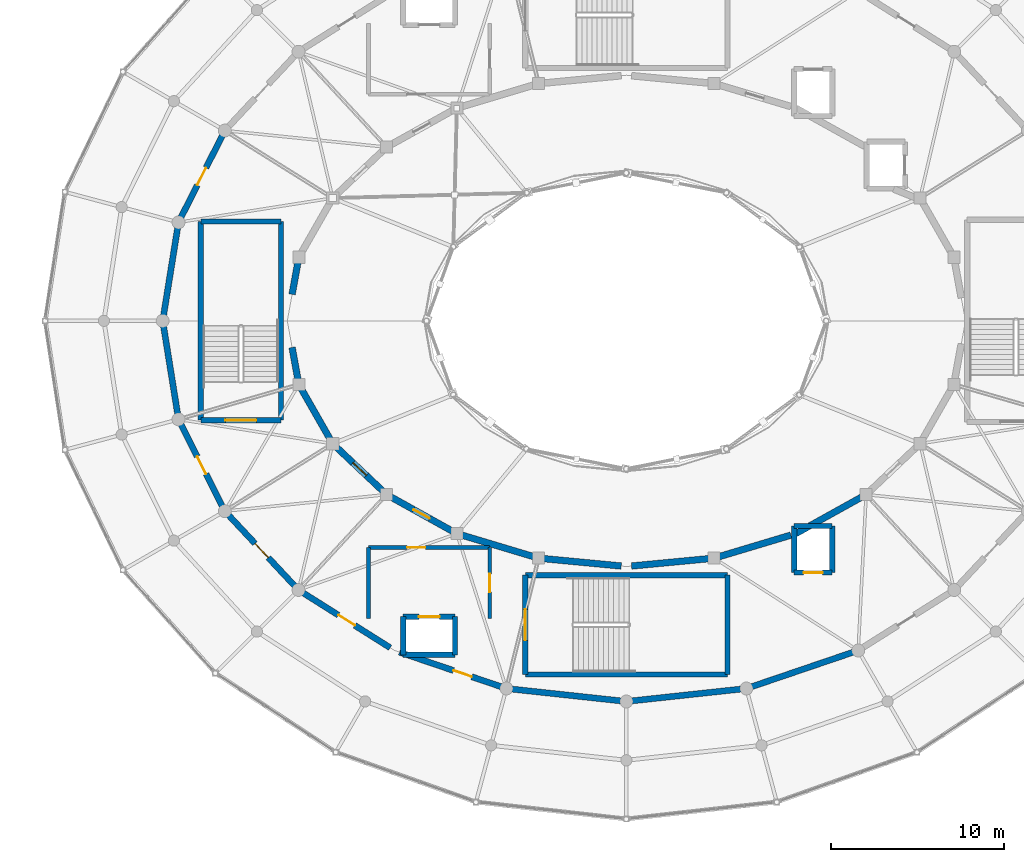
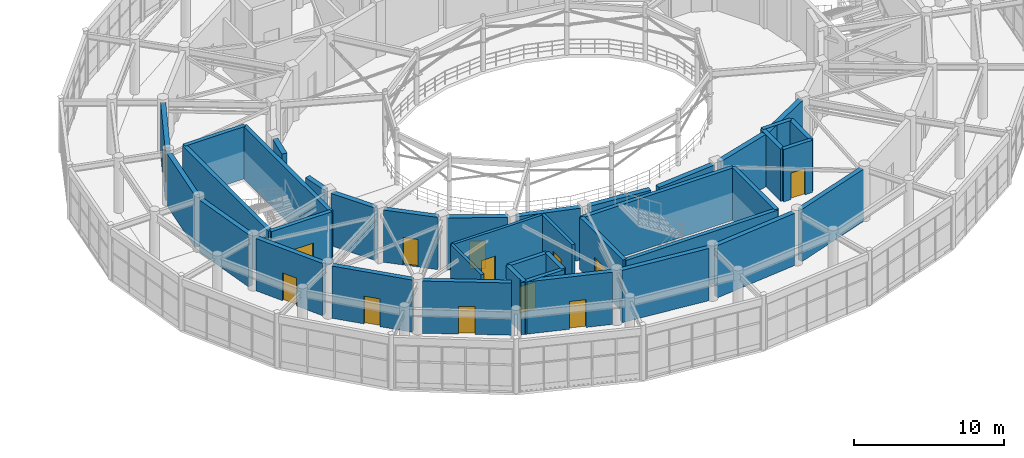
# One storey, part 40 of 60: 39 walls, 13 doors, 13 openings.
"""IFC4 building model written with IfcOpenShell, lengths in metres."""

from ifc_helpers import new_model, si_unit, direction, frame, frame_2d, origin, place, context, subcontext, project, spatial, rectangle, extrude, material, layer, layer_set, type_object, element, fill, save


model = new_model("IFC4")

# Units and contexts
model_context = context("Model", 3, precision=1e-05, world=origin(), true_north=direction((0.0, 1.0)))
body_context = subcontext(model_context, "Body", "Model", "MODEL_VIEW")
ifc_project = project(units=[si_unit("LENGTHUNIT", "METRE"), si_unit("AREAUNIT", "SQUARE_METRE"), si_unit("VOLUMEUNIT", "CUBIC_METRE"), si_unit("PLANEANGLEUNIT", "RADIAN"), si_unit("MASSUNIT", "GRAM", prefix="KILO")], contexts=[model_context])

# Site, building, storey
site_placement = place(None, origin())
site = spatial("IfcSite", under=ifc_project, at=site_placement, CompositionType="ELEMENT")
building_placement = place(site_placement, origin())
building = spatial("IfcBuilding", under=site, at=building_placement, Name="Cinderbank Siding Concert Hall", CompositionType="ELEMENT")
storey_placement = place(building_placement, frame((0.0, 0.0, 14.699951171875)))
storey = spatial("IfcBuildingStorey", under=building, at=storey_placement, Name="L04", CompositionType="ELEMENT", Elevation=14.699951171875)

# Walls
ifc_material_1 = material(Name="Reinforced concrete AS 3600 N50 (50 MPa)", Category="concrete")
ifc_layer_1 = layer(ifc_material_1, 0.3798828125)
ifc_layer_set_1 = layer_set([ifc_layer_1], Name="Reinforced concrete AS 3600 N50 (50 MPa)")
wall_type_1 = type_object("IfcWallType", Name="WL-01 Structural Wall 380mm", PredefinedType="SOLIDWALL", material=ifc_layer_set_1)
for number, where, z_axis, x_axis, name in (
    (1, (103.016845703125, 47.394775390625, 0.0), (0.0, 0.0, 1.0), (-0.178749049923, -0.983894698203, 0.0), "L04 Structural Wall SW-E1-L04-12"),
    (2, (102.678955078125, 42.465087890625, 0.0), (0.0, 0.0, 1.0), (0.178749049923, -0.983894698203, 0.0), "L04 Structural Wall SW-E1-L04-13"),
):
    element("IfcWall", number, at=place(storey_placement, frame(where, z_axis=z_axis, x_axis=x_axis)), inside=storey, type_object=wall_type_1, Name=name, PredefinedType="SOLIDWALL", context=body_context, shape_type="SweptSolid", body=[
        extrude(rectangle(XDim=1.890380859375, YDim=0.3798828125, at=frame_2d((0.9453125, 0.0))), origin(), (0.0, 0.0, 1.0), 4.25),
    ])
wall_1_placement = place(storey_placement, frame((103.20947265625, 40.077392578125, 0.0), z_axis=(0.0, 0.0, 1.0), x_axis=(0.496318106012, -0.868140736082, 0.0)))
element("IfcWall", 3, at=wall_1_placement, inside=storey, type_object=wall_type_1, Name="L04 Structural Wall SW-E1-L04-14", PredefinedType="SOLIDWALL", context=body_context, shape_type="SweptSolid", body=[
    extrude(rectangle(XDim=3.375, YDim=0.3798828125, at=frame_2d((1.6875, 0.0))), origin(), (0.0, 0.0, 1.0), 4.25),
])

# Wall, opening, door
wall_2_placement = place(storey_placement, frame((105.233154296875, 36.704345703125, 0.0), z_axis=(0.0, 0.0, 1.0), x_axis=(0.727127996206, -0.686501913423, 0.0)))
wall_2 = element("IfcWall", 4, at=wall_2_placement, inside=storey, type_object=wall_type_1, Name="L04 Structural Wall SW-E1-L04-15", PredefinedType="SOLIDWALL", context=body_context, shape_type="SweptSolid", body=[
    extrude(rectangle(XDim=3.7138671875, YDim=0.3798828125, at=frame_2d((1.85693359375, 0.0))), origin(), (0.0, 0.0, 1.0), 4.25),
])
opening_1_placement = place(wall_2_placement, frame((1.326904296875, 0.0, 0.0)))
opening_1 = element("IfcOpeningElement", 5, at=opening_1_placement, cuts=wall_2, Name="Opening D-18", PredefinedType="OPENING", context=body_context, shape_type="SweptSolid", body=[
    extrude(rectangle(XDim=1.06005859375, YDim=2.239990234375, at=frame_2d((0.530029296875, 1.1201171875))), frame((0.0, 0.201904296875, 0.0), z_axis=(0.0, -1.0, 0.0), x_axis=(1.0, 0.0, 0.0)), (0.0, 0.0, 1.0), 0.40380859375),
])
ifc_material_2 = material(Name="Solid-core spotted gum acoustic timber", Category="wood")
door_type_1 = type_object("IfcDoorType", Name="D-18 Interior Door 1060x2240", OperationType="NOTDEFINED", PredefinedType="DOOR", material=ifc_material_2)
door_1_placement = place(opening_1_placement, origin())
door_1 = element("IfcDoor", 6, at=door_1_placement, inside=storey, type_object=door_type_1, Name="L04 Auditorium Sound-Lock Door L04-D156", OperationType="SINGLE_SWING_LEFT", OverallHeight=2.239990234375, OverallWidth=1.06005859375, PredefinedType="DOOR", context=body_context, shape_type="SweptSolid", body=[
    extrude(rectangle(XDim=1.06005859375, YDim=2.239990234375, at=frame_2d((0.530029296875, 1.1201171875))), frame((0.0, 0.02490234375, 0.0), z_axis=(0.0, -1.0, 0.0), x_axis=(1.0, 0.0, 0.0)), (0.0, 0.0, 1.0), 0.050048828125),
])
fill(opening_1, door_1)

wall_3_placement = place(storey_placement, frame((108.389892578125, 33.820556640625, 0.0), z_axis=(0.0, 0.0, 1.0), x_axis=(0.87401308715, -0.485902380618, 0.0)))
wall_3 = element("IfcWall", 7, at=wall_3_placement, inside=storey, type_object=wall_type_1, Name="L04 Structural Wall SW-E1-L04-16", PredefinedType="SOLIDWALL", context=body_context, shape_type="SweptSolid", body=[
    extrude(rectangle(XDim=4.074462890625, YDim=0.3798828125, at=frame_2d((2.037109375, 0.0))), origin(), (0.0, 0.0, 1.0), 4.25),
])
opening_2_placement = place(wall_3_placement, frame((1.507080078125, 0.0, 0.0)))
opening_2 = element("IfcOpeningElement", 8, at=opening_2_placement, cuts=wall_3, Name="Opening D-18", PredefinedType="OPENING", context=body_context, shape_type="SweptSolid", body=[
    extrude(rectangle(XDim=1.06005859375, YDim=2.239990234375, at=frame_2d((0.530029296875, 1.1201171875))), frame((0.0, 0.201904296875, 0.0), z_axis=(0.0, -1.0, 0.0), x_axis=(1.0, 0.0, 0.0)), (0.0, 0.0, 1.0), 0.40380859375),
])
door_2_placement = place(opening_2_placement, origin())
door_2 = element("IfcDoor", 9, at=door_2_placement, inside=storey, type_object=door_type_1, Name="L04 Auditorium Sound-Lock Door L04-D157", OperationType="SINGLE_SWING_RIGHT", OverallHeight=2.239990234375, OverallWidth=1.06005859375, PredefinedType="DOOR", context=body_context, shape_type="SweptSolid", body=[
    extrude(rectangle(XDim=1.06005859375, YDim=2.239990234375, at=frame_2d((0.530029296875, 1.1201171875))), frame((0.0, 0.02490234375, 0.0), z_axis=(0.0, -1.0, 0.0), x_axis=(1.0, 0.0, 0.0)), (0.0, 0.0, 1.0), 0.050048828125),
])
fill(opening_2, door_2)

# Walls
wall_4_placement = place(storey_placement, frame((112.472900390625, 31.62060546875, 0.0), z_axis=(0.0, 0.0, 1.0), x_axis=(0.957792414988, -0.287460762177, 0.0)))
element("IfcWall", 10, at=wall_4_placement, inside=storey, type_object=wall_type_1, Name="L04 Structural Wall SW-E1-L04-17", PredefinedType="SOLIDWALL", context=body_context, shape_type="SweptSolid", body=[
    extrude(rectangle(XDim=4.365478515625, YDim=0.3798828125, at=frame_2d((2.1826171875, 0.0))), origin(), (0.0, 0.0, 1.0), 4.25),
])
for number, where, z_axis, x_axis, name in (
    (11, (117.210693359375, 30.2568359375, 0.0), (0.0, 0.0, 1.0), (0.995484276796, -0.094926575052, 0.0), "L04 Structural Wall SW-E1-L04-18"),
    (12, (122.298583984375, 29.82861328125, 0.0), (0.0, 0.0, 1.0), (0.995484276796, 0.094926575052, 0.0), "L04 Structural Wall SW-E1-L04-19"),
):
    element("IfcWall", number, at=place(storey_placement, frame(where, z_axis=z_axis, x_axis=x_axis)), inside=storey, type_object=wall_type_1, Name=name, PredefinedType="SOLIDWALL", context=body_context, shape_type="SweptSolid", body=[
        extrude(rectangle(XDim=4.510986328125, YDim=0.3798828125, at=frame_2d((2.25537109375, 0.0))), origin(), (0.0, 0.0, 1.0), 4.25),
    ])
wall_5_placement = place(storey_placement, frame((127.345947265625, 30.36572265625, 0.0), z_axis=(0.0, 0.0, 1.0), x_axis=(0.957796933165, 0.287445707604, 0.0)))
element("IfcWall", 13, at=wall_5_placement, inside=storey, type_object=wall_type_1, Name="L04 Structural Wall SW-E1-L04-20", PredefinedType="SOLIDWALL", context=body_context, shape_type="SweptSolid", body=[
    extrude(rectangle(XDim=4.350341796875, YDim=0.3798828125, at=frame_2d((2.17529296875, 0.0))), origin(), (0.0, 0.0, 1.0), 4.25),
])
wall_6_placement = place(storey_placement, frame((131.800048828125, 31.702392578125, 0.0), z_axis=(0.0, 0.0, 1.0), x_axis=(0.874014584072, 0.485899688031, 0.0)))
element("IfcWall", 14, at=wall_6_placement, inside=storey, type_object=wall_type_1, Name="L04 Structural Wall SW-E1-L04-21", PredefinedType="SOLIDWALL", context=body_context, shape_type="SweptSolid", body=[
    extrude(rectangle(XDim=4.359375, YDim=0.3798828125, at=frame_2d((2.1796875, 0.0))), origin(), (0.0, 0.0, 1.0), 4.25),
])

# Wall, opening, door
ifc_layer_2 = layer(ifc_material_1, 0.35009765625)
ifc_layer_set_2 = layer_set([ifc_layer_2], Name="Reinforced concrete AS 3600 N50 (50 MPa)")
wall_type_2 = type_object("IfcWallType", Name="WL-02 Structural Wall 350mm", PredefinedType="SHEAR", material=ifc_layer_set_2)
wall_7_placement = place(storey_placement, frame((98.65087890625, 54.72314453125, 0.0), z_axis=(0.0, 0.0, 1.0), x_axis=(-0.450512686904, -0.892770025784, 0.0)))
wall_7 = element("IfcWall", 15, at=wall_7_placement, inside=storey, type_object=wall_type_2, Name="L04 Structural Wall SW-E2-L04-11", PredefinedType="SHEAR", context=body_context, shape_type="SweptSolid", body=[
    extrude(rectangle(XDim=5.3232421875, YDim=0.35009765625, at=frame_2d((2.66162109375, 0.0))), origin(), (0.0, 0.0, 1.0), 4.25),
])
opening_3_placement = place(wall_7_placement, frame((2.1015625, 0.0, 0.0)))
opening_3 = element("IfcOpeningElement", 16, at=opening_3_placement, cuts=wall_7, Name="Opening D-19", PredefinedType="OPENING", context=body_context, shape_type="SweptSolid", body=[
    extrude(rectangle(XDim=1.1201171875, YDim=2.260009765625, at=frame_2d((0.56005859375, 1.1298828125))), frame((0.0, 0.18701171875, 0.0), z_axis=(0.0, -1.0, 0.0), x_axis=(1.0, 0.0, 0.0)), (0.0, 0.0, 1.0), 0.3740234375),
])
door_type_2 = type_object("IfcDoorType", Name="D-19 Interior Door 1120x2260", OperationType="NOTDEFINED", PredefinedType="DOOR", material=ifc_material_2)
door_3_placement = place(opening_3_placement, origin())
door_3 = element("IfcDoor", 17, at=door_3_placement, inside=storey, type_object=door_type_2, Name="L04 Auditorium Sound-Lock Door L04-D165", OperationType="SINGLE_SWING_RIGHT", OverallHeight=2.260009765625, OverallWidth=1.1201171875, PredefinedType="DOOR", context=body_context, shape_type="SweptSolid", body=[
    extrude(rectangle(XDim=1.1201171875, YDim=2.260009765625, at=frame_2d((0.56005859375, 1.1298828125))), frame((0.0, 0.02490234375, 0.0), z_axis=(0.0, -1.0, 0.0), x_axis=(1.0, 0.0, 0.0)), (0.0, 0.0, 1.0), 0.050048828125),
])
fill(opening_3, door_3)

# Walls
for number, where, z_axis, x_axis, name in (
    (18, (96.064208984375, 49.387939453125, 0.0), (0.0, 0.0, 1.0), (-0.158388253677, -0.98737690934, 0.0), "L04 Structural Wall SW-E2-L04-12"),
    (19, (95.2490234375, 43.69384765625, 0.0), (0.0, 0.0, 1.0), (0.158388253677, -0.98737690934, 0.0), "L04 Structural Wall SW-E2-L04-13"),
):
    element("IfcWall", number, at=place(storey_placement, frame(where, z_axis=z_axis, x_axis=x_axis)), inside=storey, type_object=wall_type_2, Name=name, PredefinedType="SHEAR", context=body_context, shape_type="SweptSolid", body=[
        extrude(rectangle(XDim=5.146728515625, YDim=0.35009765625, at=frame_2d((2.5732421875, 0.0))), origin(), (0.0, 0.0, 1.0), 4.25),
    ])

# Wall, opening, door
wall_8_placement = place(storey_placement, frame((96.252685546875, 38.029296875, 0.0), z_axis=(0.0, 0.0, 1.0), x_axis=(0.450512686904, -0.892770025784, 0.0)))
wall_8 = element("IfcWall", 20, at=wall_8_placement, inside=storey, type_object=wall_type_2, Name="L04 Structural Wall SW-E2-L04-14", PredefinedType="SHEAR", context=body_context, shape_type="SweptSolid", body=[
    extrude(rectangle(XDim=5.3232421875, YDim=0.35009765625, at=frame_2d((2.66162109375, 0.0))), origin(), (0.0, 0.0, 1.0), 4.25),
])
opening_4_placement = place(wall_8_placement, frame((2.1015625, 0.0, 0.0)))
opening_4 = element("IfcOpeningElement", 21, at=opening_4_placement, cuts=wall_8, Name="Opening D-19", PredefinedType="OPENING", context=body_context, shape_type="SweptSolid", body=[
    extrude(rectangle(XDim=1.1201171875, YDim=2.260009765625, at=frame_2d((0.56005859375, 1.1298828125))), frame((0.0, 0.18701171875, 0.0), z_axis=(0.0, -1.0, 0.0), x_axis=(1.0, 0.0, 0.0)), (0.0, 0.0, 1.0), 0.3740234375),
])
door_4_placement = place(opening_4_placement, origin())
door_4 = element("IfcDoor", 22, at=door_4_placement, inside=storey, type_object=door_type_2, Name="L04 Auditorium Sound-Lock Door L04-D166", OperationType="SINGLE_SWING_LEFT", OverallHeight=2.260009765625, OverallWidth=1.1201171875, PredefinedType="DOOR", context=body_context, shape_type="SweptSolid", body=[
    extrude(rectangle(XDim=1.1201171875, YDim=2.260009765625, at=frame_2d((0.56005859375, 1.1298828125))), frame((0.0, 0.02490234375, 0.0), z_axis=(0.0, -1.0, 0.0), x_axis=(1.0, 0.0, 0.0)), (0.0, 0.0, 1.0), 0.050048828125),
])
fill(opening_4, door_4)

wall_9_placement = place(storey_placement, frame((99.002197265625, 32.7734375, 0.0), z_axis=(0.0, 0.0, 1.0), x_axis=(0.682886399388, -0.730524582427, 0.0)))
wall_9 = element("IfcWall", 23, at=wall_9_placement, inside=storey, type_object=wall_type_2, Name="L04 Structural Wall SW-E2-L04-15", PredefinedType="SHEAR", context=body_context, shape_type="SweptSolid", body=[
    extrude(rectangle(XDim=5.616943359375, YDim=0.35009765625, at=frame_2d((2.80859375, 0.0))), origin(), (0.0, 0.0, 1.0), 4.25),
])
opening_5_placement = place(wall_9_placement, frame((2.248291015625, 0.0, 0.0)))
opening_5 = element("IfcOpeningElement", 24, at=opening_5_placement, cuts=wall_9, Name="Opening D-19", PredefinedType="OPENING", context=body_context, shape_type="SweptSolid", body=[
    extrude(rectangle(XDim=1.1201171875, YDim=2.260009765625, at=frame_2d((0.56005859375, 1.1298828125))), frame((0.0, 0.18701171875, 0.0), z_axis=(0.0, -1.0, 0.0), x_axis=(1.0, 0.0, 0.0)), (0.0, 0.0, 1.0), 0.3740234375),
])
door_5_placement = place(opening_5_placement, origin())
door_5 = element("IfcDoor", 25, at=door_5_placement, inside=storey, type_object=door_type_2, Name="L04 Auditorium Sound-Lock Door L04-D167", OperationType="SINGLE_SWING_RIGHT", OverallHeight=2.260009765625, OverallWidth=1.1201171875, PredefinedType="DOOR", context=body_context, shape_type="SweptSolid", body=[
    extrude(rectangle(XDim=1.1201171875, YDim=2.260009765625, at=frame_2d((0.56005859375, 1.1298828125))), frame((0.0, 0.02490234375, 0.0), z_axis=(0.0, -1.0, 0.0), x_axis=(1.0, 0.0, 0.0)), (0.0, 0.0, 1.0), 0.050048828125),
])
fill(opening_5, door_5)

wall_10_placement = place(storey_placement, frame((103.311767578125, 28.278564453125, 0.0), z_axis=(0.0, 0.0, 1.0), x_axis=(0.846132783073, -0.532972150688, 0.0)))
wall_10 = element("IfcWall", 26, at=wall_10_placement, inside=storey, type_object=wall_type_2, Name="L04 Structural Wall SW-E2-L04-16", PredefinedType="SHEAR", context=body_context, shape_type="SweptSolid", body=[
    extrude(rectangle(XDim=5.949951171875, YDim=0.35009765625, at=frame_2d((2.97509765625, 0.0))), origin(), (0.0, 0.0, 1.0), 4.25),
])
opening_6_placement = place(wall_10_placement, frame((2.4150390625, 0.0, 0.0)))
opening_6 = element("IfcOpeningElement", 27, at=opening_6_placement, cuts=wall_10, Name="Opening D-19", PredefinedType="OPENING", context=body_context, shape_type="SweptSolid", body=[
    extrude(rectangle(XDim=1.1201171875, YDim=2.260009765625, at=frame_2d((0.56005859375, 1.1298828125))), frame((0.0, 0.18701171875, 0.0), z_axis=(0.0, -1.0, 0.0), x_axis=(1.0, 0.0, 0.0)), (0.0, 0.0, 1.0), 0.3740234375),
])
door_6_placement = place(opening_6_placement, origin())
door_6 = element("IfcDoor", 28, at=door_6_placement, inside=storey, type_object=door_type_2, Name="L04 Auditorium Sound-Lock Door L04-D168", OperationType="SINGLE_SWING_LEFT", OverallHeight=2.260009765625, OverallWidth=1.1201171875, PredefinedType="DOOR", context=body_context, shape_type="SweptSolid", body=[
    extrude(rectangle(XDim=1.1201171875, YDim=2.260009765625, at=frame_2d((0.56005859375, 1.1298828125))), frame((0.0, 0.02490234375, 0.0), z_axis=(0.0, -1.0, 0.0), x_axis=(1.0, 0.0, 0.0)), (0.0, 0.0, 1.0), 0.050048828125),
])
fill(opening_6, door_6)

wall_11_placement = place(storey_placement, frame((108.884033203125, 24.850830078125, 0.0), z_axis=(0.0, 0.0, 1.0), x_axis=(0.946761494057, -0.321935821821, 0.0)))
wall_11 = element("IfcWall", 29, at=wall_11_placement, inside=storey, type_object=wall_type_2, Name="L04 Structural Wall SW-E2-L04-17", PredefinedType="SHEAR", context=body_context, shape_type="SweptSolid", body=[
    extrude(rectangle(XDim=6.217041015625, YDim=0.35009765625, at=frame_2d((3.1083984375, 0.0))), origin(), (0.0, 0.0, 1.0), 4.25),
])
opening_7_placement = place(wall_11_placement, frame((3.298583984375, 0.0, 0.0)))
opening_7 = element("IfcOpeningElement", 30, at=opening_7_placement, cuts=wall_11, Name="Opening D-19", PredefinedType="OPENING", context=body_context, shape_type="SweptSolid", body=[
    extrude(rectangle(XDim=1.1201171875, YDim=2.260009765625, at=frame_2d((0.56005859375, 1.1298828125))), frame((0.0, 0.18701171875, 0.0), z_axis=(0.0, -1.0, 0.0), x_axis=(1.0, 0.0, 0.0)), (0.0, 0.0, 1.0), 0.3740234375),
])
door_7_placement = place(opening_7_placement, origin())
door_7 = element("IfcDoor", 31, at=door_7_placement, inside=storey, type_object=door_type_2, Name="L04 Auditorium Sound-Lock Door L04-D169", OperationType="SINGLE_SWING_RIGHT", OverallHeight=2.260009765625, OverallWidth=1.1201171875, PredefinedType="DOOR", context=body_context, shape_type="SweptSolid", body=[
    extrude(rectangle(XDim=1.1201171875, YDim=2.260009765625, at=frame_2d((0.56005859375, 1.1298828125))), frame((0.0, 0.02490234375, 0.0), z_axis=(0.0, -1.0, 0.0), x_axis=(1.0, 0.0, 0.0)), (0.0, 0.0, 1.0), 0.050048828125),
])
fill(opening_7, door_7)

# Walls
for number, where, z_axis, x_axis, name in (
    (32, (115.371826171875, 22.71630859375, 0.0), (0.0, 0.0, 1.0), (0.99420948753, -0.107459270912, 0.0), "L04 Structural Wall SW-E2-L04-18"),
    (33, (122.30810546875, 22.033203125, 0.0), (0.0, 0.0, 1.0), (0.99420948753, 0.107459270912, 0.0), "L04 Structural Wall SW-E2-L04-19"),
):
    element("IfcWall", number, at=place(storey_placement, frame(where, z_axis=z_axis, x_axis=x_axis)), inside=storey, type_object=wall_type_2, Name=name, PredefinedType="SHEAR", context=body_context, shape_type="SweptSolid", body=[
        extrude(rectangle(XDim=6.35693359375, YDim=0.35009765625, at=frame_2d((3.178466796875, 0.0))), origin(), (0.0, 0.0, 1.0), 4.25),
    ])
wall_12_placement = place(storey_placement, frame((129.22998046875, 22.849365234375, 0.0), z_axis=(0.0, 0.0, 1.0), x_axis=(0.946758358714, 0.321945042213, 0.0)))
element("IfcWall", 34, at=wall_12_placement, inside=storey, type_object=wall_type_2, Name="L04 Structural Wall SW-E2-L04-20", PredefinedType="SHEAR", context=body_context, shape_type="SweptSolid", body=[
    extrude(rectangle(XDim=6.20703125, YDim=0.35009765625, at=frame_2d((3.103515625, 0.0))), origin(), (0.0, 0.0, 1.0), 4.25),
])

# Wall, opening, door
ifc_layer_3 = layer(ifc_material_1, 0.300048828125)
ifc_layer_set_3 = layer_set([ifc_layer_3], Name="Reinforced concrete AS 3600 N50 (50 MPa)")
wall_type_3 = type_object("IfcWallType", Name="WL-03 Structural Wall 300mm", PredefinedType="SHEAR", material=ifc_layer_set_3)
wall_13_placement = place(storey_placement, frame((116.159912109375, 23.56005859375, 0.0), z_axis=(0.0, 0.0, 1.0), x_axis=(0.0, 1.0, 0.0)))
wall_13 = element("IfcWall", 35, at=wall_13_placement, inside=storey, type_object=wall_type_3, Name="L04 ST-02 Core Wall ENTRY", PredefinedType="SHEAR", context=body_context, shape_type="SweptSolid", body=[
    extrude(rectangle(XDim=5.739990234375, YDim=0.300048828125, at=frame_2d((2.8701171875, 0.0))), origin(), (0.0, 0.0, 1.0), 4.25),
])
opening_8_placement = place(wall_13_placement, frame((1.969970703125, 0.0, 0.0)))
opening_8 = element("IfcOpeningElement", 36, at=opening_8_placement, cuts=wall_13, Name="Opening D-05", PredefinedType="OPENING", context=body_context, shape_type="SweptSolid", body=[
    extrude(rectangle(XDim=1.800048828125, YDim=2.199951171875, at=frame_2d((0.89990234375, 1.10009765625))), frame((0.0, 0.162109375, 0.0), z_axis=(0.0, -1.0, 0.0), x_axis=(1.0, 0.0, 0.0)), (0.0, 0.0, 1.0), 0.323974609375),
])
ifc_material_3 = material(Name="Galvanised sheet steel acoustic fire door assembly", Category="steel")
door_type_3 = type_object("IfcDoorType", Name="D-05 Interior Door 1800x2200", OperationType="DOUBLE_DOOR_SINGLE_SWING", PredefinedType="DOOR", material=ifc_material_3)
door_8_placement = place(opening_8_placement, origin())
door_8 = element("IfcDoor", 37, at=door_8_placement, inside=storey, type_object=door_type_3, Name="L04 ST-02 Fire Stair Door L04-D012", OperationType="DOUBLE_DOOR_SINGLE_SWING", OverallHeight=2.199951171875, OverallWidth=1.800048828125, PredefinedType="DOOR", context=body_context, shape_type="SweptSolid", body=[
    extrude(rectangle(XDim=1.800048828125, YDim=2.199951171875, at=frame_2d((0.89990234375, 1.10009765625))), frame((0.0, 0.02490234375, 0.0), z_axis=(0.0, -1.0, 0.0), x_axis=(1.0, 0.0, 0.0)), (0.0, 0.0, 1.0), 0.050048828125),
])
fill(opening_8, door_8)

# Walls
wall_14_placement = place(storey_placement, frame((127.840087890625, 29.300048828125, 0.0), z_axis=(0.0, 0.0, 1.0), x_axis=(0.0, -1.0, 0.0)))
element("IfcWall", 38, at=wall_14_placement, inside=storey, type_object=wall_type_3, Name="L04 ST-02 Core Wall FAR", PredefinedType="SHEAR", context=body_context, shape_type="SweptSolid", body=[
    extrude(rectangle(XDim=5.739990234375, YDim=0.300048828125, at=frame_2d((2.8701171875, 0.0))), origin(), (0.0, 0.0, 1.0), 4.25),
])
for number, where, z_axis, x_axis, name in (
    (39, (127.840087890625, 23.56005859375, 0.0), (0.0, 0.0, 1.0), (-1.0, 0.0, 0.0), "L04 ST-02 Core Wall SIDE1"),
    (40, (116.159912109375, 29.300048828125, 0.0), (0.0, 0.0, 1.0), (1.0, 0.0, 0.0), "L04 ST-02 Core Wall SIDE2"),
):
    element("IfcWall", number, at=place(storey_placement, frame(where, z_axis=z_axis, x_axis=x_axis)), inside=storey, type_object=wall_type_3, Name=name, PredefinedType="SHEAR", context=body_context, shape_type="SweptSolid", body=[
        extrude(rectangle(XDim=11.68017578125, YDim=0.300048828125, at=frame_2d((5.840087890625, 0.0))), origin(), (0.0, 0.0, 1.0), 4.25),
    ])

# Wall, opening, door
wall_15_placement = place(storey_placement, frame((102.0400390625, 38.260009765625, 0.0), z_axis=(0.0, 0.0, 1.0), x_axis=(-1.0, 0.0, 0.0)))
wall_15 = element("IfcWall", 41, at=wall_15_placement, inside=storey, type_object=wall_type_3, Name="L04 ST-04 Core Wall ENTRY", PredefinedType="SHEAR", context=body_context, shape_type="SweptSolid", body=[
    extrude(rectangle(XDim=4.64013671875, YDim=0.300048828125, at=frame_2d((2.320068359375, 0.0))), origin(), (0.0, 0.0, 1.0), 4.25),
])
opening_9_placement = place(wall_15_placement, frame((1.419921875, 0.0, 0.0)))
opening_9 = element("IfcOpeningElement", 42, at=opening_9_placement, cuts=wall_15, Name="Opening D-05", PredefinedType="OPENING", context=body_context, shape_type="SweptSolid", body=[
    extrude(rectangle(XDim=1.800048828125, YDim=2.199951171875, at=frame_2d((0.89990234375, 1.10009765625))), frame((0.0, 0.162109375, 0.0), z_axis=(0.0, -1.0, 0.0), x_axis=(1.0, 0.0, 0.0)), (0.0, 0.0, 1.0), 0.323974609375),
])
door_9_placement = place(opening_9_placement, origin())
door_9 = element("IfcDoor", 43, at=door_9_placement, inside=storey, type_object=door_type_3, Name="L04 ST-04 Fire Stair Door L04-D026", OperationType="DOUBLE_DOOR_SINGLE_SWING", OverallHeight=2.199951171875, OverallWidth=1.800048828125, PredefinedType="DOOR", context=body_context, shape_type="SweptSolid", body=[
    extrude(rectangle(XDim=1.800048828125, YDim=2.199951171875, at=frame_2d((0.89990234375, 1.10009765625))), frame((0.0, 0.02490234375, 0.0), z_axis=(0.0, -1.0, 0.0), x_axis=(1.0, 0.0, 0.0)), (0.0, 0.0, 1.0), 0.050048828125),
])
fill(opening_9, door_9)

# Walls
wall_16_placement = place(storey_placement, frame((97.39990234375, 49.739990234375, 0.0), z_axis=(0.0, 0.0, 1.0), x_axis=(1.0, 0.0, 0.0)))
element("IfcWall", 44, at=wall_16_placement, inside=storey, type_object=wall_type_3, Name="L04 ST-04 Core Wall FAR", PredefinedType="SHEAR", context=body_context, shape_type="SweptSolid", body=[
    extrude(rectangle(XDim=4.64013671875, YDim=0.300048828125, at=frame_2d((2.320068359375, 0.0))), origin(), (0.0, 0.0, 1.0), 4.25),
])
for number, where, z_axis, x_axis, name in (
    (45, (102.0400390625, 49.739990234375, 0.0), (0.0, 0.0, 1.0), (0.0, -1.0, 0.0), "L04 ST-04 Core Wall SIDE1"),
    (46, (97.39990234375, 38.260009765625, 0.0), (0.0, 0.0, 1.0), (0.0, 1.0, 0.0), "L04 ST-04 Core Wall SIDE2"),
):
    element("IfcWall", number, at=place(storey_placement, frame(where, z_axis=z_axis, x_axis=x_axis)), inside=storey, type_object=wall_type_3, Name=name, PredefinedType="SHEAR", context=body_context, shape_type="SweptSolid", body=[
        extrude(rectangle(XDim=11.47998046875, YDim=0.300048828125, at=frame_2d((5.739990234375, 0.0))), origin(), (0.0, 0.0, 1.0), 4.25),
    ])

# Wall, opening, door
wall_17_placement = place(storey_placement, frame((133.89990234375, 29.449951171875, 0.0), z_axis=(0.0, 0.0, 1.0), x_axis=(-1.0, 0.0, 0.0)))
wall_17 = element("IfcWall", 47, at=wall_17_placement, inside=storey, type_object=wall_type_3, Name="L04 LF-02 Shaft Wall -Y", PredefinedType="SHEAR", context=body_context, shape_type="SweptSolid", body=[
    extrude(rectangle(XDim=2.199951171875, YDim=0.300048828125, at=frame_2d((1.10009765625, 0.0))), origin(), (0.0, 0.0, 1.0), 4.25),
])
opening_10_placement = place(wall_17_placement, frame((0.550048828125, 0.0, 0.0)))
opening_10 = element("IfcOpeningElement", 48, at=opening_10_placement, cuts=wall_17, Name="Opening LD-01", PredefinedType="OPENING", context=body_context, shape_type="SweptSolid", body=[
    extrude(rectangle(XDim=1.10009765625, YDim=2.14990234375, at=frame_2d((0.550048828125, 1.074951171875))), frame((0.0, 0.162109375, 0.0), z_axis=(0.0, -1.0, 0.0), x_axis=(1.0, 0.0, 0.0)), (0.0, 0.0, 1.0), 0.323974609375),
])
door_type_4 = type_object("IfcDoorType", Name="LD-01 Interior Door 1100x2150", OperationType="DOUBLE_DOOR_SLIDING", PredefinedType="DOOR", material=ifc_material_3)
door_10_placement = place(opening_10_placement, origin())
door_10 = element("IfcDoor", 49, at=door_10_placement, inside=storey, type_object=door_type_4, Name="L04 LF-02 Sliding Landing Door", OperationType="DOUBLE_DOOR_SLIDING", OverallHeight=2.14990234375, OverallWidth=1.10009765625, PredefinedType="DOOR", context=body_context, shape_type="SweptSolid", body=[
    extrude(rectangle(XDim=1.10009765625, YDim=2.14990234375, at=frame_2d((0.550048828125, 1.074951171875))), frame((0.0, 0.02490234375, 0.0), z_axis=(0.0, -1.0, 0.0), x_axis=(1.0, 0.0, 0.0)), (0.0, 0.0, 1.0), 0.050048828125),
])
fill(opening_10, door_10)

# Walls
wall_18_placement = place(storey_placement, frame((133.89990234375, 32.14990234375, 0.0), z_axis=(0.0, 0.0, 1.0), x_axis=(0.0, -1.0, 0.0)))
element("IfcWall", 50, at=wall_18_placement, inside=storey, type_object=wall_type_3, Name="L04 LF-02 Shaft Wall +X", PredefinedType="SHEAR", context=body_context, shape_type="SweptSolid", body=[
    extrude(rectangle(XDim=2.699951171875, YDim=0.300048828125, at=frame_2d((1.35009765625, 0.0))), origin(), (0.0, 0.0, 1.0), 4.25),
])
wall_19_placement = place(storey_placement, frame((131.699951171875, 32.14990234375, 0.0), z_axis=(0.0, 0.0, 1.0), x_axis=(1.0, 0.0, 0.0)))
element("IfcWall", 51, at=wall_19_placement, inside=storey, type_object=wall_type_3, Name="L04 LF-02 Shaft Wall +Y", PredefinedType="SHEAR", context=body_context, shape_type="SweptSolid", body=[
    extrude(rectangle(XDim=2.199951171875, YDim=0.300048828125, at=frame_2d((1.10009765625, 0.0))), origin(), (0.0, 0.0, 1.0), 4.25),
])
wall_20_placement = place(storey_placement, frame((131.699951171875, 29.449951171875, 0.0), z_axis=(0.0, 0.0, 1.0), x_axis=(0.0, 1.0, 0.0)))
element("IfcWall", 52, at=wall_20_placement, inside=storey, type_object=wall_type_3, Name="L04 LF-02 Shaft Wall -X", PredefinedType="SHEAR", context=body_context, shape_type="SweptSolid", body=[
    extrude(rectangle(XDim=2.699951171875, YDim=0.300048828125, at=frame_2d((1.35009765625, 0.0))), origin(), (0.0, 0.0, 1.0), 4.25),
])
wall_21_placement = place(storey_placement, frame((112.10009765625, 24.699951171875, 0.0), z_axis=(0.0, 0.0, 1.0), x_axis=(-1.0, 0.0, 0.0)))
element("IfcWall", 53, at=wall_21_placement, inside=storey, type_object=wall_type_3, Name="L04 LF-05 Shaft Wall -Y", PredefinedType="SHEAR", context=body_context, shape_type="SweptSolid", body=[
    extrude(rectangle(XDim=3.0, YDim=0.300048828125, at=frame_2d((1.5, 0.0))), origin(), (0.0, 0.0, 1.0), 4.25),
])
wall_22_placement = place(storey_placement, frame((112.10009765625, 26.89990234375, 0.0), z_axis=(0.0, 0.0, 1.0), x_axis=(0.0, -1.0, 0.0)))
element("IfcWall", 54, at=wall_22_placement, inside=storey, type_object=wall_type_3, Name="L04 LF-05 Shaft Wall +X", PredefinedType="SHEAR", context=body_context, shape_type="SweptSolid", body=[
    extrude(rectangle(XDim=2.199951171875, YDim=0.300048828125, at=frame_2d((1.10009765625, 0.0))), origin(), (0.0, 0.0, 1.0), 4.25),
])

# Wall, opening, door
wall_23_placement = place(storey_placement, frame((109.10009765625, 26.89990234375, 0.0), z_axis=(0.0, 0.0, 1.0), x_axis=(1.0, 0.0, 0.0)))
wall_23 = element("IfcWall", 55, at=wall_23_placement, inside=storey, type_object=wall_type_3, Name="L04 LF-05 Shaft Wall +Y", PredefinedType="SHEAR", context=body_context, shape_type="SweptSolid", body=[
    extrude(rectangle(XDim=3.0, YDim=0.300048828125, at=frame_2d((1.5, 0.0))), origin(), (0.0, 0.0, 1.0), 4.25),
])
opening_11_placement = place(wall_23_placement, frame((0.89990234375, 0.0, 0.0)))
opening_11 = element("IfcOpeningElement", 56, at=opening_11_placement, cuts=wall_23, Name="Opening LD-02", PredefinedType="OPENING", context=body_context, shape_type="SweptSolid", body=[
    extrude(rectangle(XDim=1.199951171875, YDim=2.14990234375, at=frame_2d((0.60009765625, 1.074951171875))), frame((0.0, 0.162109375, 0.0), z_axis=(0.0, -1.0, 0.0), x_axis=(1.0, 0.0, 0.0)), (0.0, 0.0, 1.0), 0.323974609375),
])
door_type_5 = type_object("IfcDoorType", Name="LD-02 Interior Door 1200x2150", OperationType="DOUBLE_DOOR_SLIDING", PredefinedType="DOOR", material=ifc_material_3)
door_11_placement = place(opening_11_placement, origin())
door_11 = element("IfcDoor", 57, at=door_11_placement, inside=storey, type_object=door_type_5, Name="L04 LF-05 Sliding Landing Door", OperationType="DOUBLE_DOOR_SLIDING", OverallHeight=2.14990234375, OverallWidth=1.199951171875, PredefinedType="DOOR", context=body_context, shape_type="SweptSolid", body=[
    extrude(rectangle(XDim=1.199951171875, YDim=2.14990234375, at=frame_2d((0.60009765625, 1.074951171875))), frame((0.0, 0.02490234375, 0.0), z_axis=(0.0, -1.0, 0.0), x_axis=(1.0, 0.0, 0.0)), (0.0, 0.0, 1.0), 0.050048828125),
])
fill(opening_11, door_11)

# Wall
wall_24_placement = place(storey_placement, frame((109.10009765625, 24.699951171875, 0.0), z_axis=(0.0, 0.0, 1.0), x_axis=(0.0, 1.0, 0.0)))
element("IfcWall", 58, at=wall_24_placement, inside=storey, type_object=wall_type_3, Name="L04 LF-05 Shaft Wall -X", PredefinedType="SHEAR", context=body_context, shape_type="SweptSolid", body=[
    extrude(rectangle(XDim=2.199951171875, YDim=0.300048828125, at=frame_2d((1.10009765625, 0.0))), origin(), (0.0, 0.0, 1.0), 4.25),
])

# Wall, opening, door
ifc_layer_4 = layer(ifc_material_1, 0.219970703125)
ifc_layer_set_4 = layer_set([ifc_layer_4], Name="Reinforced concrete AS 3600 N50 (50 MPa)")
wall_type_4 = type_object("IfcWallType", Name="WL-06 Interior Wall 220mm", PredefinedType="SOLIDWALL", material=ifc_layer_set_4)
wall_25_placement = place(storey_placement, frame((107.10009765625, 30.89990234375, 0.0), z_axis=(0.0, 0.0, 1.0), x_axis=(1.0, 0.0, 0.0)))
wall_25 = element("IfcWall", 59, at=wall_25_placement, inside=storey, type_object=wall_type_4, Name="L04 Firefighting Lobby Wall FFLS-N", PredefinedType="SOLIDWALL", context=body_context, shape_type="SweptSolid", body=[
    extrude(rectangle(XDim=7.0, YDim=0.219970703125, at=frame_2d((3.5, 0.0))), origin(), (0.0, 0.0, 1.0), 4.235107421875),
])
opening_12_placement = place(wall_25_placement, frame((2.22509765625, 0.0, 0.0)))
opening_12 = element("IfcOpeningElement", 60, at=opening_12_placement, cuts=wall_25, Name="Opening D-02", PredefinedType="OPENING", context=body_context, shape_type="SweptSolid", body=[
    extrude(rectangle(XDim=1.050048828125, YDim=2.14990234375, at=frame_2d((0.52490234375, 1.074951171875))), frame((0.0, 0.1220703125, 0.0), z_axis=(0.0, -1.0, 0.0), x_axis=(1.0, 0.0, 0.0)), (0.0, 0.0, 1.0), 0.243896484375),
])
door_type_6 = type_object("IfcDoorType", Name="D-02 Interior Door 1050x2150", OperationType="NOTDEFINED", PredefinedType="DOOR", material=ifc_material_3)
door_12_placement = place(opening_12_placement, origin())
door_12 = element("IfcDoor", 61, at=door_12_placement, inside=storey, type_object=door_type_6, Name="L04 Firefighting Lobby Door L04-D080", OperationType="SINGLE_SWING_LEFT", OverallHeight=2.14990234375, OverallWidth=1.050048828125, PredefinedType="DOOR", context=body_context, shape_type="SweptSolid", body=[
    extrude(rectangle(XDim=1.050048828125, YDim=2.14990234375, at=frame_2d((0.52490234375, 1.074951171875))), frame((0.0, 0.02490234375, 0.0), z_axis=(0.0, -1.0, 0.0), x_axis=(1.0, 0.0, 0.0)), (0.0, 0.0, 1.0), 0.050048828125),
])
fill(opening_12, door_12)

# Wall
wall_26_placement = place(storey_placement, frame((107.10009765625, 26.800048828125, 0.0), z_axis=(0.0, 0.0, 1.0), x_axis=(0.0, 1.0, 0.0)))
element("IfcWall", 62, at=wall_26_placement, inside=storey, type_object=wall_type_4, Name="L04 Firefighting Lobby Wall FFLS-W", PredefinedType="SOLIDWALL", context=body_context, shape_type="SweptSolid", body=[
    extrude(rectangle(XDim=4.099853515625, YDim=0.219970703125, at=frame_2d((2.0498046875, 0.0))), origin(), (0.0, 0.0, 1.0), 4.235107421875),
])

# Wall, opening, door
wall_27_placement = place(storey_placement, frame((114.10009765625, 30.89990234375, 0.0), z_axis=(0.0, 0.0, 1.0), x_axis=(0.0, -1.0, 0.0)))
wall_27 = element("IfcWall", 63, at=wall_27_placement, inside=storey, type_object=wall_type_4, Name="L04 Firefighting Lobby Wall FFLS-E", PredefinedType="SOLIDWALL", context=body_context, shape_type="SweptSolid", body=[
    extrude(rectangle(XDim=4.099853515625, YDim=0.219970703125, at=frame_2d((2.0498046875, 0.0))), origin(), (0.0, 0.0, 1.0), 4.235107421875),
])
opening_13_placement = place(wall_27_placement, frame((1.52490234375, 0.0, 0.0)))
opening_13 = element("IfcOpeningElement", 64, at=opening_13_placement, cuts=wall_27, Name="Opening D-02", PredefinedType="OPENING", context=body_context, shape_type="SweptSolid", body=[
    extrude(rectangle(XDim=1.050048828125, YDim=2.14990234375, at=frame_2d((0.52490234375, 1.074951171875))), frame((0.0, 0.1220703125, 0.0), z_axis=(0.0, -1.0, 0.0), x_axis=(1.0, 0.0, 0.0)), (0.0, 0.0, 1.0), 0.243896484375),
])
door_13_placement = place(opening_13_placement, origin())
door_13 = element("IfcDoor", 65, at=door_13_placement, inside=storey, type_object=door_type_6, Name="L04 Firefighting Lobby Door L04-D081", OperationType="SINGLE_SWING_RIGHT", OverallHeight=2.14990234375, OverallWidth=1.050048828125, PredefinedType="DOOR", context=body_context, shape_type="SweptSolid", body=[
    extrude(rectangle(XDim=1.050048828125, YDim=2.14990234375, at=frame_2d((0.52490234375, 1.074951171875))), frame((0.0, 0.02490234375, 0.0), z_axis=(0.0, -1.0, 0.0), x_axis=(1.0, 0.0, 0.0)), (0.0, 0.0, 1.0), 0.050048828125),
])
fill(opening_13, door_13)

save(model, "model.ifc")
